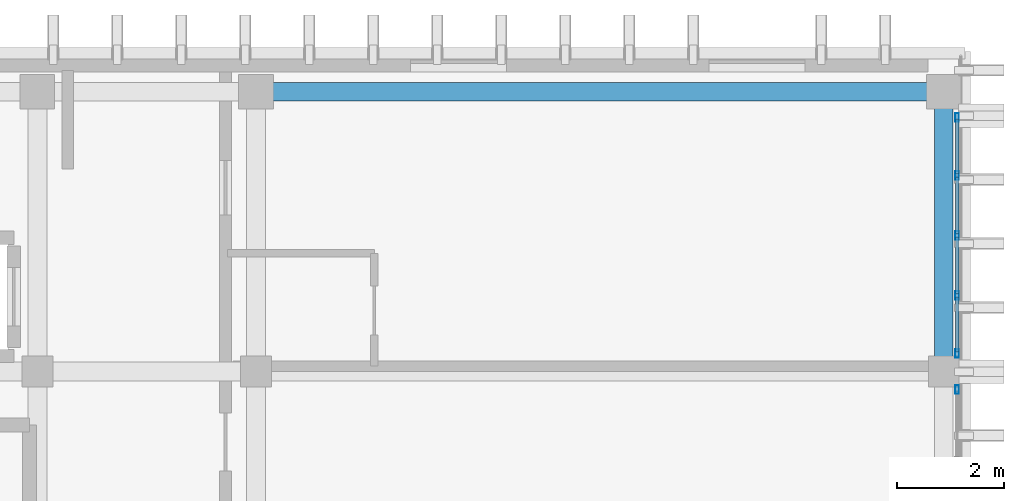
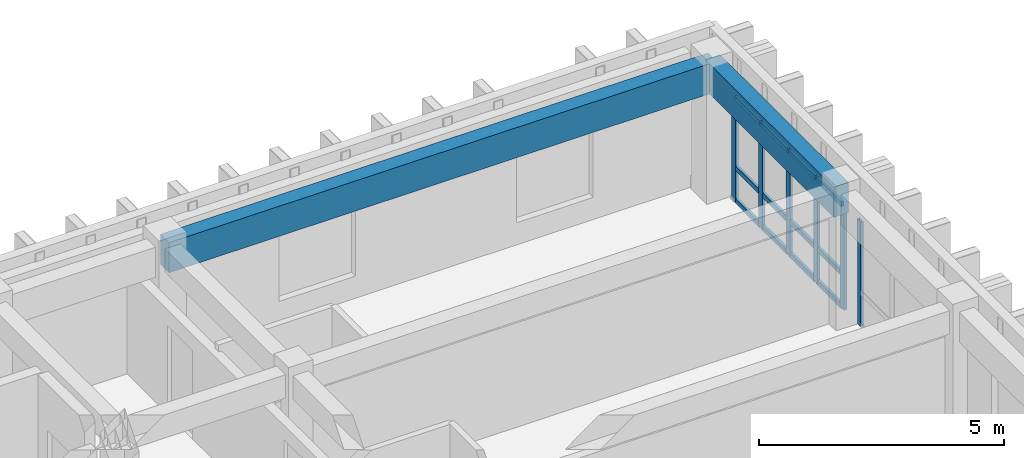
# One storey, part 37 of 49: 18 members, 2 beams, 2 elements without a shape of their own.
"""IFC4 building model written with IfcOpenShell, lengths in metres."""

from ifc_helpers import new_model, si_unit, direction, frame, origin, origin_2d, place, context, subcontext, project, spatial, rectangle, hollow_rectangle, extrude, material, layer, layer_set, material_profile, profile_set, type_object, element, aggregate, save


model = new_model("IFC4")

# Units and contexts
model_context = context("Model", 3, precision=1e-05, world=origin(), true_north=direction((0.0, 1.0)))
body_context = subcontext(model_context, "Body", "Model", "MODEL_VIEW")
ifc_project = project(units=[si_unit("LENGTHUNIT", "METRE"), si_unit("AREAUNIT", "SQUARE_METRE"), si_unit("VOLUMEUNIT", "CUBIC_METRE"), si_unit("PLANEANGLEUNIT", "RADIAN"), si_unit("MASSUNIT", "GRAM", prefix="KILO")], contexts=[model_context])

# Site, building, storey
site_placement = place(None, origin())
site = spatial("IfcSite", under=ifc_project, at=site_placement, CompositionType="ELEMENT")
building_placement = place(site_placement, origin())
building = spatial("IfcBuilding", under=site, at=building_placement, Name="Nakhvara Creek Congress Hotel", CompositionType="ELEMENT")
storey_placement = place(building_placement, frame((0.0, 0.0, 39.0)))
storey = spatial("IfcBuildingStorey", under=building, at=storey_placement, Name="L09", CompositionType="ELEMENT", Elevation=39.0)

# Beams
ifc_material_1 = material(Name="Concrete C40/50", Category="concrete")
ifc_material_profile_1 = material_profile(ifc_material_1, rectangle(XDim=0.35009765625, YDim=0.75, at=origin_2d()), Name="RC-SPANDREL 350x750", Category="LoadBearing")
ifc_profile_set_1 = profile_set([ifc_material_profile_1], Name="Concrete C40/50")
beam_type = type_object("IfcBeamType", Name="BM-SPN-350X750", PredefinedType="SPANDREL", material=ifc_profile_set_1)
beam_1_placement = place(storey_placement, frame((166.449951171875, 125.25, 2.985107421875), z_axis=(1.0, 0.0, 0.0), x_axis=(0.0, 1.0, 0.0)))
element("IfcBeam", 1, at=beam_1_placement, inside=storey, type_object=beam_type, Name="Beam SP1-L09-2595", PredefinedType="SPANDREL", context=body_context, shape_type="SweptSolid", body=[
    extrude(rectangle(XDim=0.35009765625, YDim=0.75, at=origin_2d()), origin(), (0.0, 0.0, 1.0), 12.900146484375),
])
beam_2_placement = place(storey_placement, frame((179.35009765625, 120.0, 2.985107421875), z_axis=(0.0, 1.0, 0.0), x_axis=(-1.0, 0.0, 0.0)))
element("IfcBeam", 2, at=beam_2_placement, inside=storey, type_object=beam_type, Name="Beam SP1-L09-2610", PredefinedType="SPANDREL", context=body_context, shape_type="SweptSolid", body=[
    extrude(rectangle(XDim=0.35009765625, YDim=0.75, at=origin_2d()), origin(), (0.0, 0.0, 1.0), 5.25),
])

# Curtain wall, member
ifc_material_2 = material(Name="Bronze-anodised aluminium AW-6063-T6 and double-silver low-E glass", Category="aluminium")
ifc_layer = layer(ifc_material_2, 0.199951171875)
ifc_layer_set = layer_set([ifc_layer], Name="Bronze-anodised aluminium AW-6063-T6 and double-silver low-E glass")
curtain_wall_type = type_object("IfcCurtainWallType", Name="CW-HTL-UNIT", PredefinedType="USERDEFINED", material=ifc_layer_set)
curtain_wall_1_placement = place(storey_placement, origin())
curtain_wall_1 = element("IfcCurtainWall", 3, at=curtain_wall_1_placement, inside=storey, type_object=curtain_wall_type, Name="Curtain Wall CW311", ObjectType="UNITISED", PredefinedType="USERDEFINED")
ifc_material_3 = material(Name="Bronze-anodised aluminium AW-6063-T6", Category="aluminium")
ifc_material_profile_2 = material_profile(ifc_material_3, hollow_rectangle(XDim=0.06494140625, YDim=0.159912109375, WallThickness=0.00390625, at=origin_2d()), Name="ALU-MULL 65x160x4", Category="LoadBearing")
ifc_profile_set_2 = profile_set([ifc_material_profile_2], Name="Bronze-anodised aluminium AW-6063-T6")
member_type_1 = type_object("IfcMemberType", Name="CW-MULL-160", PredefinedType="MULLION", material=ifc_profile_set_2)
member_1_placement = place(storey_placement, frame((179.60009765625, 119.66259765625, 0.0), z_axis=(0.0, 0.0, 1.0), x_axis=(1.0, 0.0, 0.0)))
member_1 = element("IfcMember", 4, at=member_1_placement, type_object=member_type_1, Name="CW311 mullion 1", PredefinedType="MULLION", context=body_context, shape_type="SweptSolid", body=[
    extrude(hollow_rectangle(XDim=0.06494140625, YDim=0.159912109375, WallThickness=0.00390625, at=origin_2d()), origin(), (0.0, 0.0, 1.0), 2.60205078125),
])
aggregate(curtain_wall_1, [member_1])

# Curtain wall, members
curtain_wall_2_placement = place(storey_placement, origin())
curtain_wall_2 = element("IfcCurtainWall", 5, at=curtain_wall_2_placement, inside=storey, type_object=curtain_wall_type, Name="Curtain Wall CW313", ObjectType="UNITISED", PredefinedType="USERDEFINED")
member_2_placement = place(storey_placement, frame((179.60009765625, 124.767578125, 0.0), z_axis=(0.0, 0.0, 1.0), x_axis=(1.0, 0.0, 0.0)))
member_2 = element("IfcMember", 6, at=member_2_placement, type_object=member_type_1, Name="CW313 mullion 1", PredefinedType="MULLION", context=body_context, shape_type="SweptSolid", body=[
    extrude(hollow_rectangle(XDim=0.06494140625, YDim=0.159912109375, WallThickness=0.00390625, at=origin_2d()), origin(), (0.0, 0.0, 1.0), 2.60205078125),
])
member_3_placement = place(storey_placement, frame((179.60009765625, 123.67626953125, 0.0), z_axis=(0.0, 0.0, 1.0), x_axis=(1.0, 0.0, 0.0)))
member_3 = element("IfcMember", 7, at=member_3_placement, type_object=member_type_1, Name="CW313 mullion 2", PredefinedType="MULLION", context=body_context, shape_type="SweptSolid", body=[
    extrude(hollow_rectangle(XDim=0.06494140625, YDim=0.159912109375, WallThickness=0.00390625, at=origin_2d()), origin(), (0.0, 0.0, 1.0), 2.60205078125),
])
member_4_placement = place(storey_placement, frame((179.60009765625, 122.552490234375, 0.0), z_axis=(0.0, 0.0, 1.0), x_axis=(1.0, 0.0, 0.0)))
member_4 = element("IfcMember", 8, at=member_4_placement, type_object=member_type_1, Name="CW313 mullion 3", PredefinedType="MULLION", context=body_context, shape_type="SweptSolid", body=[
    extrude(hollow_rectangle(XDim=0.06494140625, YDim=0.159912109375, WallThickness=0.00390625, at=origin_2d()), origin(), (0.0, 0.0, 1.0), 2.60205078125),
])
member_5_placement = place(storey_placement, frame((179.60009765625, 121.4287109375, 0.0), z_axis=(0.0, 0.0, 1.0), x_axis=(1.0, 0.0, 0.0)))
member_5 = element("IfcMember", 9, at=member_5_placement, type_object=member_type_1, Name="CW313 mullion 4", PredefinedType="MULLION", context=body_context, shape_type="SweptSolid", body=[
    extrude(hollow_rectangle(XDim=0.06494140625, YDim=0.159912109375, WallThickness=0.00390625, at=origin_2d()), origin(), (0.0, 0.0, 1.0), 2.60205078125),
])
member_6_placement = place(storey_placement, frame((179.60009765625, 120.33740234375, 0.0), z_axis=(0.0, 0.0, 1.0), x_axis=(1.0, 0.0, 0.0)))
member_6 = element("IfcMember", 10, at=member_6_placement, type_object=member_type_1, Name="CW313 mullion 5", PredefinedType="MULLION", context=body_context, shape_type="SweptSolid", body=[
    extrude(hollow_rectangle(XDim=0.06494140625, YDim=0.159912109375, WallThickness=0.00390625, at=origin_2d()), origin(), (0.0, 0.0, 1.0), 2.60205078125),
])
ifc_material_profile_3 = material_profile(ifc_material_3, hollow_rectangle(XDim=0.06494140625, YDim=0.1201171875, WallThickness=0.00390625, at=origin_2d()), Name="ALU-TRAN 65x120x4", Category="LoadBearing")
ifc_profile_set_3 = profile_set([ifc_material_profile_3], Name="Bronze-anodised aluminium AW-6063-T6")
member_type_2 = type_object("IfcMemberType", Name="CW-TRAN-120", PredefinedType="USERDEFINED", material=ifc_profile_set_3)
member_7_placement = place(storey_placement, frame((179.60009765625, 124.735107421875, 0.032470703125), z_axis=(0.0, -1.0, 0.0), x_axis=(1.0, 0.0, 0.0)))
member_7 = element("IfcMember", 11, at=member_7_placement, type_object=member_type_2, Name="CW313 transom 1.1", ObjectType="TRANSOM", PredefinedType="USERDEFINED", context=body_context, shape_type="SweptSolid", body=[
    extrude(hollow_rectangle(XDim=0.06494140625, YDim=0.1201171875, WallThickness=0.00390625, at=origin_2d()), origin(), (0.0, 0.0, 1.0), 1.0263671875),
])
member_8_placement = place(storey_placement, frame((179.60009765625, 124.735107421875, 0.85009765625), z_axis=(0.0, -1.0, 0.0), x_axis=(1.0, 0.0, 0.0)))
member_8 = element("IfcMember", 12, at=member_8_placement, type_object=member_type_2, Name="CW313 transom 1.2", ObjectType="TRANSOM", PredefinedType="USERDEFINED", context=body_context, shape_type="SweptSolid", body=[
    extrude(hollow_rectangle(XDim=0.06494140625, YDim=0.1201171875, WallThickness=0.00390625, at=origin_2d()), origin(), (0.0, 0.0, 1.0), 1.0263671875),
])
member_9_placement = place(storey_placement, frame((179.60009765625, 124.735107421875, 2.569580078125), z_axis=(0.0, -1.0, 0.0), x_axis=(1.0, 0.0, 0.0)))
member_9 = element("IfcMember", 13, at=member_9_placement, type_object=member_type_2, Name="CW313 transom 1.3", ObjectType="TRANSOM", PredefinedType="USERDEFINED", context=body_context, shape_type="SweptSolid", body=[
    extrude(hollow_rectangle(XDim=0.06494140625, YDim=0.1201171875, WallThickness=0.00390625, at=origin_2d()), origin(), (0.0, 0.0, 1.0), 1.0263671875),
])
member_10_placement = place(storey_placement, frame((179.60009765625, 123.643798828125, 0.032470703125), z_axis=(0.0, -1.0, 0.0), x_axis=(1.0, 0.0, 0.0)))
member_10 = element("IfcMember", 14, at=member_10_placement, type_object=member_type_2, Name="CW313 transom 2.1", ObjectType="TRANSOM", PredefinedType="USERDEFINED", context=body_context, shape_type="SweptSolid", body=[
    extrude(hollow_rectangle(XDim=0.06494140625, YDim=0.1201171875, WallThickness=0.00390625, at=origin_2d()), origin(), (0.0, 0.0, 1.0), 1.058837890625),
])
member_11_placement = place(storey_placement, frame((179.60009765625, 123.643798828125, 0.85009765625), z_axis=(0.0, -1.0, 0.0), x_axis=(1.0, 0.0, 0.0)))
member_11 = element("IfcMember", 15, at=member_11_placement, type_object=member_type_2, Name="CW313 transom 2.2", ObjectType="TRANSOM", PredefinedType="USERDEFINED", context=body_context, shape_type="SweptSolid", body=[
    extrude(hollow_rectangle(XDim=0.06494140625, YDim=0.1201171875, WallThickness=0.00390625, at=origin_2d()), origin(), (0.0, 0.0, 1.0), 1.058837890625),
])
member_12_placement = place(storey_placement, frame((179.60009765625, 123.643798828125, 2.569580078125), z_axis=(0.0, -1.0, 0.0), x_axis=(1.0, 0.0, 0.0)))
member_12 = element("IfcMember", 16, at=member_12_placement, type_object=member_type_2, Name="CW313 transom 2.3", ObjectType="TRANSOM", PredefinedType="USERDEFINED", context=body_context, shape_type="SweptSolid", body=[
    extrude(hollow_rectangle(XDim=0.06494140625, YDim=0.1201171875, WallThickness=0.00390625, at=origin_2d()), origin(), (0.0, 0.0, 1.0), 1.058837890625),
])
member_13_placement = place(storey_placement, frame((179.60009765625, 122.52001953125, 0.032470703125), z_axis=(0.0, -1.0, 0.0), x_axis=(1.0, 0.0, 0.0)))
member_13 = element("IfcMember", 17, at=member_13_placement, type_object=member_type_2, Name="CW313 transom 3.1", ObjectType="TRANSOM", PredefinedType="USERDEFINED", context=body_context, shape_type="SweptSolid", body=[
    extrude(hollow_rectangle(XDim=0.06494140625, YDim=0.1201171875, WallThickness=0.00390625, at=origin_2d()), origin(), (0.0, 0.0, 1.0), 1.058837890625),
])
member_14_placement = place(storey_placement, frame((179.60009765625, 122.52001953125, 0.85009765625), z_axis=(0.0, -1.0, 0.0), x_axis=(1.0, 0.0, 0.0)))
member_14 = element("IfcMember", 18, at=member_14_placement, type_object=member_type_2, Name="CW313 transom 3.2", ObjectType="TRANSOM", PredefinedType="USERDEFINED", context=body_context, shape_type="SweptSolid", body=[
    extrude(hollow_rectangle(XDim=0.06494140625, YDim=0.1201171875, WallThickness=0.00390625, at=origin_2d()), origin(), (0.0, 0.0, 1.0), 1.058837890625),
])
member_15_placement = place(storey_placement, frame((179.60009765625, 122.52001953125, 2.569580078125), z_axis=(0.0, -1.0, 0.0), x_axis=(1.0, 0.0, 0.0)))
member_15 = element("IfcMember", 19, at=member_15_placement, type_object=member_type_2, Name="CW313 transom 3.3", ObjectType="TRANSOM", PredefinedType="USERDEFINED", context=body_context, shape_type="SweptSolid", body=[
    extrude(hollow_rectangle(XDim=0.06494140625, YDim=0.1201171875, WallThickness=0.00390625, at=origin_2d()), origin(), (0.0, 0.0, 1.0), 1.058837890625),
])
member_16_placement = place(storey_placement, frame((179.60009765625, 121.396240234375, 0.032470703125), z_axis=(0.0, -1.0, 0.0), x_axis=(1.0, 0.0, 0.0)))
member_16 = element("IfcMember", 20, at=member_16_placement, type_object=member_type_2, Name="CW313 transom 4.1", ObjectType="TRANSOM", PredefinedType="USERDEFINED", context=body_context, shape_type="SweptSolid", body=[
    extrude(hollow_rectangle(XDim=0.06494140625, YDim=0.1201171875, WallThickness=0.00390625, at=origin_2d()), origin(), (0.0, 0.0, 1.0), 1.026123046875),
])
member_17_placement = place(storey_placement, frame((179.60009765625, 121.396240234375, 0.85009765625), z_axis=(0.0, -1.0, 0.0), x_axis=(1.0, 0.0, 0.0)))
member_17 = element("IfcMember", 21, at=member_17_placement, type_object=member_type_2, Name="CW313 transom 4.2", ObjectType="TRANSOM", PredefinedType="USERDEFINED", context=body_context, shape_type="SweptSolid", body=[
    extrude(hollow_rectangle(XDim=0.06494140625, YDim=0.1201171875, WallThickness=0.00390625, at=origin_2d()), origin(), (0.0, 0.0, 1.0), 1.026123046875),
])
member_18_placement = place(storey_placement, frame((179.60009765625, 121.396240234375, 2.569580078125), z_axis=(0.0, -1.0, 0.0), x_axis=(1.0, 0.0, 0.0)))
member_18 = element("IfcMember", 22, at=member_18_placement, type_object=member_type_2, Name="CW313 transom 4.3", ObjectType="TRANSOM", PredefinedType="USERDEFINED", context=body_context, shape_type="SweptSolid", body=[
    extrude(hollow_rectangle(XDim=0.06494140625, YDim=0.1201171875, WallThickness=0.00390625, at=origin_2d()), origin(), (0.0, 0.0, 1.0), 1.026123046875),
])
aggregate(curtain_wall_2, [member_2, member_3, member_4, member_5, member_6, member_7, member_8, member_9, member_10, member_11, member_12, member_13, member_14, member_15, member_16, member_17, member_18])

save(model, "model.ifc")
